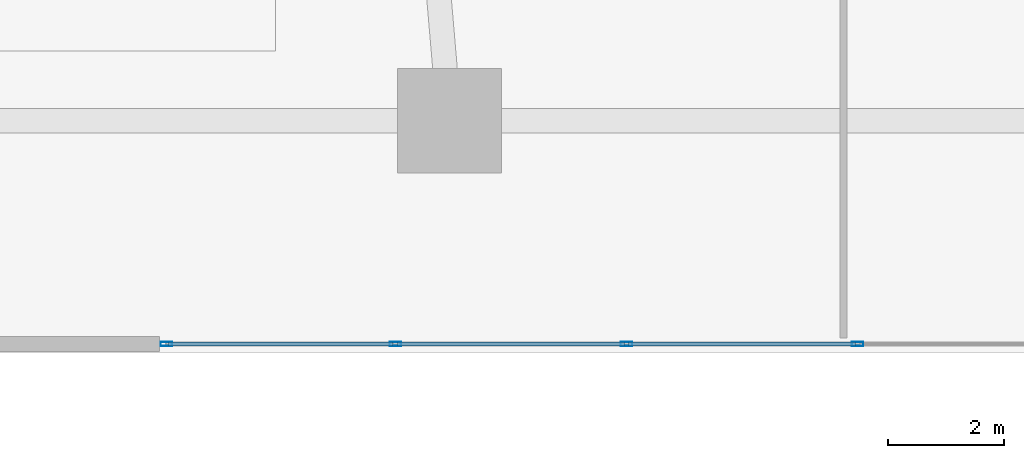
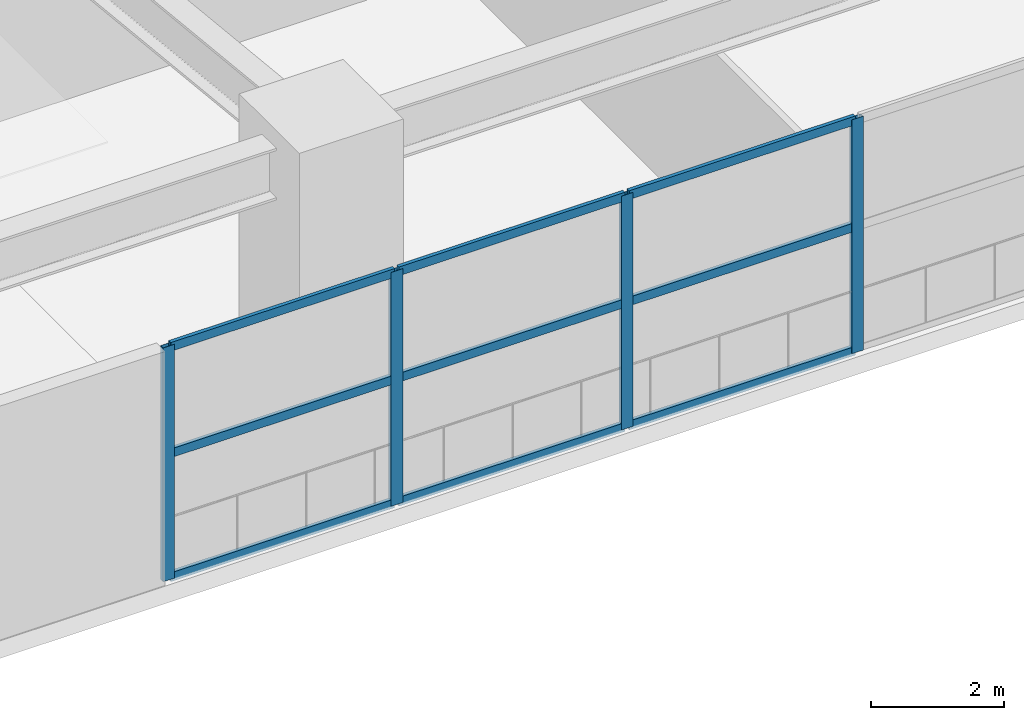
# One storey, part 2 of 20: 13 members, 1 element without a shape of its own.
"""IFC4 building model written with IfcOpenShell, lengths in metres."""

from ifc_helpers import new_model, si_unit, direction, frame, origin, origin_2d, place, context, subcontext, project, spatial, hollow_rectangle, extrude, material, layer, layer_set, material_profile, profile_set, type_object, element, aggregate, save


model = new_model("IFC4")

# Units and contexts
model_context = context("Model", 3, precision=1e-05, world=origin(), true_north=direction((0.0, 1.0)))
body_context = subcontext(model_context, "Body", "Model", "MODEL_VIEW")
ifc_project = project(units=[si_unit("LENGTHUNIT", "METRE"), si_unit("AREAUNIT", "SQUARE_METRE"), si_unit("VOLUMEUNIT", "CUBIC_METRE"), si_unit("PLANEANGLEUNIT", "RADIAN"), si_unit("MASSUNIT", "GRAM", prefix="KILO")], contexts=[model_context])

# Site, building, storey
site_placement = place(None, origin())
site = spatial("IfcSite", under=ifc_project, at=site_placement, CompositionType="ELEMENT")
building_placement = place(site_placement, origin())
building = spatial("IfcBuilding", under=site, at=building_placement, Name="Solvane Sanctuary Tower", CompositionType="ELEMENT")
storey_placement = place(building_placement, frame((0.0, 0.0, 18.39990234375)))
storey = spatial("IfcBuildingStorey", under=building, at=storey_placement, Name="L05", CompositionType="ELEMENT", Elevation=18.39990234375)

# Curtain wall, members
ifc_material = material(Name="Anodised Aluminium 6063-T6", Category="aluminium")
ifc_layer = layer(ifc_material, 0.159912109375, Name="Anodised Aluminium 6063-T6")
ifc_layer_set = layer_set([ifc_layer], Name="Anodised Aluminium 6063-T6")
curtain_wall_type = type_object("IfcCurtainWallType", Name="Curtain Wall CW-POD", PredefinedType="NOTDEFINED", material=ifc_layer_set)
curtain_wall_placement = place(storey_placement, origin())
curtain_wall = element("IfcCurtainWall", 1, at=curtain_wall_placement, inside=storey, type_object=curtain_wall_type, Name="L05 Sanctuary Curtain Wall S2", PredefinedType="NOTDEFINED")
ifc_material_profile_1 = material_profile(ifc_material, hollow_rectangle(XDim=0.074951171875, YDim=0.199951171875, WallThickness=0.00390625, at=origin_2d()), Name="ALU200X75X4")
ifc_profile_set_1 = profile_set([ifc_material_profile_1], Name="Anodised Aluminium 6063-T6")
member_type_1 = type_object("IfcMemberType", Name="Member M-CW-MUL-1 ALU200X75X4", PredefinedType="MULLION", material=ifc_profile_set_1)
member_1_placement = place(storey_placement, frame((20.117431640625, 0.14990234375, 0.0), z_axis=(0.0, 0.0, 1.0), x_axis=(0.0, 1.0, 0.0)))
member_1 = element("IfcMember", 2, at=member_1_placement, type_object=member_type_1, Name="CW-POD mullion 1", PredefinedType="MULLION", context=body_context, shape_type="SweptSolid", body=[
    extrude(hollow_rectangle(XDim=0.074951171875, YDim=0.199951171875, WallThickness=0.00390625, at=origin_2d()), origin(), (0.0, 0.0, 1.0), 4.280029296875),
])
member_2_placement = place(storey_placement, frame((24.066650390625, 0.14990234375, 0.0), z_axis=(0.0, 0.0, 1.0), x_axis=(0.0, 1.0, 0.0)))
member_2 = element("IfcMember", 3, at=member_2_placement, type_object=member_type_1, Name="CW-POD mullion 2", PredefinedType="MULLION", context=body_context, shape_type="SweptSolid", body=[
    extrude(hollow_rectangle(XDim=0.074951171875, YDim=0.199951171875, WallThickness=0.00390625, at=origin_2d()), origin(), (0.0, 0.0, 1.0), 4.280029296875),
])
member_3_placement = place(storey_placement, frame((28.05322265625, 0.14990234375, 0.0), z_axis=(0.0, 0.0, 1.0), x_axis=(0.0, 1.0, 0.0)))
member_3 = element("IfcMember", 4, at=member_3_placement, type_object=member_type_1, Name="CW-POD mullion 3", PredefinedType="MULLION", context=body_context, shape_type="SweptSolid", body=[
    extrude(hollow_rectangle(XDim=0.074951171875, YDim=0.199951171875, WallThickness=0.00390625, at=origin_2d()), origin(), (0.0, 0.0, 1.0), 4.280029296875),
])
member_4_placement = place(storey_placement, frame((32.0400390625, 0.14990234375, 0.0), z_axis=(0.0, 0.0, 1.0), x_axis=(0.0, 1.0, 0.0)))
member_4 = element("IfcMember", 5, at=member_4_placement, type_object=member_type_1, Name="CW-POD mullion 4", PredefinedType="MULLION", context=body_context, shape_type="SweptSolid", body=[
    extrude(hollow_rectangle(XDim=0.074951171875, YDim=0.199951171875, WallThickness=0.00390625, at=origin_2d()), origin(), (0.0, 0.0, 1.0), 4.280029296875),
])
ifc_material_profile_2 = material_profile(ifc_material, hollow_rectangle(XDim=0.06494140625, YDim=0.159912109375, WallThickness=0.00341796875, at=origin_2d()), Name="ALU160X65X3.5")
ifc_profile_set_2 = profile_set([ifc_material_profile_2], Name="Anodised Aluminium 6063-T6")
member_type_2 = type_object("IfcMemberType", Name="Member M-CW-TRN-1 ALU160X65X3.5", PredefinedType="USERDEFINED", material=ifc_profile_set_2)
member_5_placement = place(storey_placement, frame((20.155029296875, 0.14990234375, 0.03271484375), z_axis=(1.0, 0.0, 0.0), x_axis=(0.0, 1.0, 0.0)))
member_5 = element("IfcMember", 6, at=member_5_placement, type_object=member_type_2, Name="CW-POD transom 1.1", ObjectType="TRANSOM", PredefinedType="USERDEFINED", context=body_context, shape_type="SweptSolid", body=[
    extrude(hollow_rectangle(XDim=0.06494140625, YDim=0.159912109375, WallThickness=0.00341796875, at=origin_2d()), origin(), (0.0, 0.0, 1.0), 3.8740234375),
])
member_6_placement = place(storey_placement, frame((20.155029296875, 0.14990234375, 2.300048828125), z_axis=(1.0, 0.0, 0.0), x_axis=(0.0, 1.0, 0.0)))
member_6 = element("IfcMember", 7, at=member_6_placement, type_object=member_type_2, Name="CW-POD transom 1.2", ObjectType="TRANSOM", PredefinedType="USERDEFINED", context=body_context, shape_type="SweptSolid", body=[
    extrude(hollow_rectangle(XDim=0.06494140625, YDim=0.159912109375, WallThickness=0.00341796875, at=origin_2d()), origin(), (0.0, 0.0, 1.0), 3.8740234375),
])
member_7_placement = place(storey_placement, frame((20.155029296875, 0.14990234375, 4.24755859375), z_axis=(1.0, 0.0, 0.0), x_axis=(0.0, 1.0, 0.0)))
member_7 = element("IfcMember", 8, at=member_7_placement, type_object=member_type_2, Name="CW-POD transom 1.3", ObjectType="TRANSOM", PredefinedType="USERDEFINED", context=body_context, shape_type="SweptSolid", body=[
    extrude(hollow_rectangle(XDim=0.06494140625, YDim=0.159912109375, WallThickness=0.00341796875, at=origin_2d()), origin(), (0.0, 0.0, 1.0), 3.8740234375),
])
member_8_placement = place(storey_placement, frame((24.104248046875, 0.14990234375, 0.03271484375), z_axis=(1.0, 0.0, 0.0), x_axis=(0.0, 1.0, 0.0)))
member_8 = element("IfcMember", 9, at=member_8_placement, type_object=member_type_2, Name="CW-POD transom 2.1", ObjectType="TRANSOM", PredefinedType="USERDEFINED", context=body_context, shape_type="SweptSolid", body=[
    extrude(hollow_rectangle(XDim=0.06494140625, YDim=0.159912109375, WallThickness=0.00341796875, at=origin_2d()), origin(), (0.0, 0.0, 1.0), 3.91162109375),
])
member_9_placement = place(storey_placement, frame((24.104248046875, 0.14990234375, 2.300048828125), z_axis=(1.0, 0.0, 0.0), x_axis=(0.0, 1.0, 0.0)))
member_9 = element("IfcMember", 10, at=member_9_placement, type_object=member_type_2, Name="CW-POD transom 2.2", ObjectType="TRANSOM", PredefinedType="USERDEFINED", context=body_context, shape_type="SweptSolid", body=[
    extrude(hollow_rectangle(XDim=0.06494140625, YDim=0.159912109375, WallThickness=0.00341796875, at=origin_2d()), origin(), (0.0, 0.0, 1.0), 3.91162109375),
])
member_10_placement = place(storey_placement, frame((24.104248046875, 0.14990234375, 4.24755859375), z_axis=(1.0, 0.0, 0.0), x_axis=(0.0, 1.0, 0.0)))
member_10 = element("IfcMember", 11, at=member_10_placement, type_object=member_type_2, Name="CW-POD transom 2.3", ObjectType="TRANSOM", PredefinedType="USERDEFINED", context=body_context, shape_type="SweptSolid", body=[
    extrude(hollow_rectangle(XDim=0.06494140625, YDim=0.159912109375, WallThickness=0.00341796875, at=origin_2d()), origin(), (0.0, 0.0, 1.0), 3.91162109375),
])
member_11_placement = place(storey_placement, frame((28.0908203125, 0.14990234375, 0.03271484375), z_axis=(1.0, 0.0, 0.0), x_axis=(0.0, 1.0, 0.0)))
member_11 = element("IfcMember", 12, at=member_11_placement, type_object=member_type_2, Name="CW-POD transom 3.1", ObjectType="TRANSOM", PredefinedType="USERDEFINED", context=body_context, shape_type="SweptSolid", body=[
    extrude(hollow_rectangle(XDim=0.06494140625, YDim=0.159912109375, WallThickness=0.00341796875, at=origin_2d()), origin(), (0.0, 0.0, 1.0), 3.91162109375),
])
member_12_placement = place(storey_placement, frame((28.0908203125, 0.14990234375, 2.300048828125), z_axis=(1.0, 0.0, 0.0), x_axis=(0.0, 1.0, 0.0)))
member_12 = element("IfcMember", 13, at=member_12_placement, type_object=member_type_2, Name="CW-POD transom 3.2", ObjectType="TRANSOM", PredefinedType="USERDEFINED", context=body_context, shape_type="SweptSolid", body=[
    extrude(hollow_rectangle(XDim=0.06494140625, YDim=0.159912109375, WallThickness=0.00341796875, at=origin_2d()), origin(), (0.0, 0.0, 1.0), 3.91162109375),
])
member_13_placement = place(storey_placement, frame((28.0908203125, 0.14990234375, 4.24755859375), z_axis=(1.0, 0.0, 0.0), x_axis=(0.0, 1.0, 0.0)))
member_13 = element("IfcMember", 14, at=member_13_placement, type_object=member_type_2, Name="CW-POD transom 3.3", ObjectType="TRANSOM", PredefinedType="USERDEFINED", context=body_context, shape_type="SweptSolid", body=[
    extrude(hollow_rectangle(XDim=0.06494140625, YDim=0.159912109375, WallThickness=0.00341796875, at=origin_2d()), origin(), (0.0, 0.0, 1.0), 3.91162109375),
])
aggregate(curtain_wall, [member_1, member_2, member_3, member_4, member_5, member_6, member_7, member_8, member_9, member_10, member_11, member_12, member_13])

save(model, "model.ifc")
